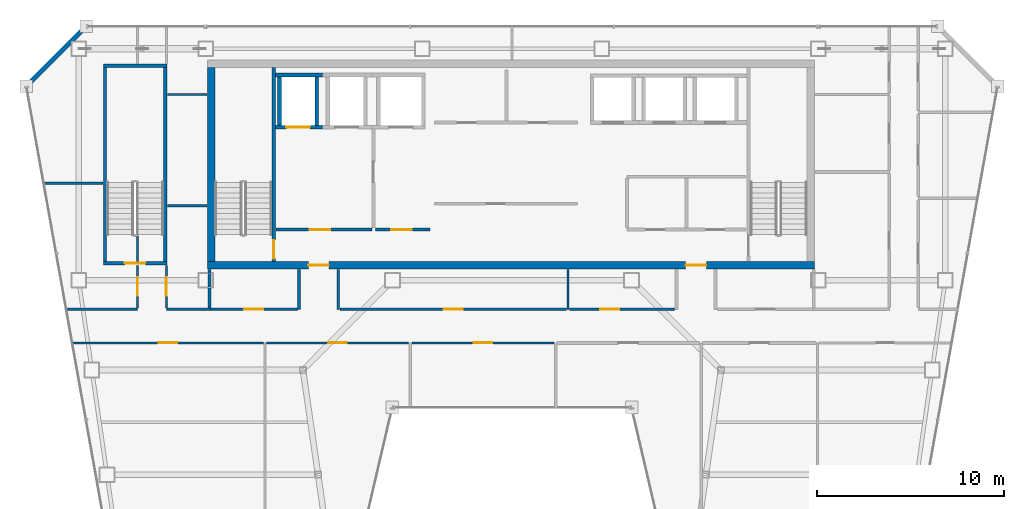
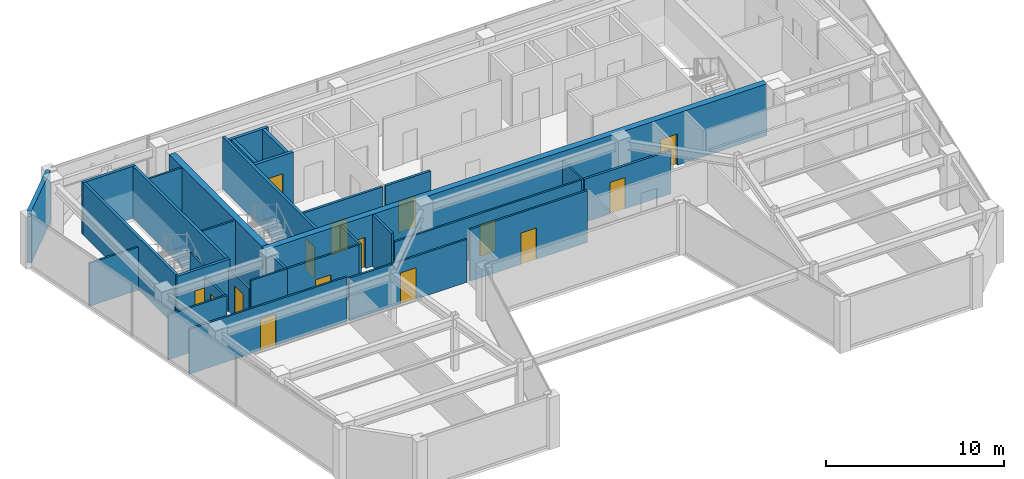
# One storey, part 27 of 32: 32 walls, 15 doors, 15 openings.
"""IFC4 building model written with IfcOpenShell, lengths in metres."""

from ifc_helpers import new_model, si_unit, direction, frame, frame_2d, origin, place, context, subcontext, project, spatial, rectangle, extrude, material, layer, layer_set, type_object, element, fill, save


model = new_model("IFC4")

# Units and contexts
model_context = context("Model", 3, precision=1e-05, world=origin(), true_north=direction((0.0, 1.0)))
body_context = subcontext(model_context, "Body", "Model", "MODEL_VIEW")
ifc_project = project(units=[si_unit("LENGTHUNIT", "METRE"), si_unit("AREAUNIT", "SQUARE_METRE"), si_unit("VOLUMEUNIT", "CUBIC_METRE"), si_unit("PLANEANGLEUNIT", "RADIAN"), si_unit("MASSUNIT", "GRAM", prefix="KILO")], contexts=[model_context])

# Site, building, storey
site_placement = place(None, origin())
site = spatial("IfcSite", under=ifc_project, at=site_placement, CompositionType="ELEMENT")
building_placement = place(site_placement, origin())
building = spatial("IfcBuilding", under=site, at=building_placement, Name="Saevonmaru Cultural Tower", CompositionType="ELEMENT")
storey_placement = place(building_placement, frame((0.0, 0.0, 257.199951171875)))
storey = spatial("IfcBuildingStorey", under=building, at=storey_placement, Name="L60", CompositionType="ELEMENT", Elevation=257.199951171875)

# Wall, openings, doors
ifc_material_1 = material(Name="Concrete C50/60", Category="concrete")
ifc_layer_1 = layer(ifc_material_1, 0.39990234375, Name="Concrete C50/60")
ifc_layer_set_1 = layer_set([ifc_layer_1], Name="Concrete C50/60")
wall_type_1 = type_object("IfcWallType", Name="WL-CORE-400", PredefinedType="SHEAR", material=ifc_layer_set_1)
wall_1_placement = place(storey_placement, frame((13.699951171875, 43.199951171875, 0.0), z_axis=(0.0, 0.0, 1.0), x_axis=(1.0, 0.0, 0.0)))
wall_1 = element("IfcWall", 1, at=wall_1_placement, inside=storey, type_object=wall_type_1, Name="L60 Tower RC core shear wall S", PredefinedType="SHEAR", context=body_context, shape_type="SweptSolid", body=[
    extrude(rectangle(XDim=32.5, YDim=0.39990234375, at=frame_2d((16.25, 0.0))), origin(), (0.0, 0.0, 1.0), 3.550048828125),
])
opening_1_placement = place(wall_1_placement, frame((5.39990234375, 0.0, 0.0)))
opening_1 = element("IfcOpeningElement", 2, at=opening_1_placement, cuts=wall_1, Name="Opening FD-2", PredefinedType="OPENING", context=body_context, shape_type="SweptSolid", body=[
    extrude(rectangle(XDim=1.10009765625, YDim=2.14990234375, at=frame_2d((0.550048828125, 1.074951171875))), frame((0.0, 0.2099609375, 0.0), z_axis=(0.0, -1.0, 0.0), x_axis=(1.0, 0.0, 0.0)), (0.0, 0.0, 1.0), 0.419921875),
])
opening_2_placement = place(wall_1_placement, frame((25.60009765625, 0.0, 0.0)))
opening_2 = element("IfcOpeningElement", 3, at=opening_2_placement, cuts=wall_1, Name="Opening FD-2", PredefinedType="OPENING", context=body_context, shape_type="SweptSolid", body=[
    extrude(rectangle(XDim=1.10009765625, YDim=2.14990234375, at=frame_2d((0.550048828125, 1.074951171875))), frame((0.0, 0.2099609375, 0.0), z_axis=(0.0, -1.0, 0.0), x_axis=(1.0, 0.0, 0.0)), (0.0, 0.0, 1.0), 0.419921875),
])
ifc_material_2 = material(Name="Satin Bronze Anodised Aluminium", Category="aluminium")
door_type_1 = type_object("IfcDoorType", Name="DR-FD60-1100", OperationType="SINGLE_SWING_LEFT", PredefinedType="DOOR", material=ifc_material_2)
door_1_placement = place(opening_1_placement, origin())
door_1 = element("IfcDoor", 4, at=door_1_placement, inside=storey, type_object=door_type_1, Name="L60 Core West Lobby Fire Door", OperationType="SINGLE_SWING_LEFT", OverallHeight=2.14990234375, OverallWidth=1.10009765625, PredefinedType="DOOR", context=body_context, shape_type="SweptSolid", body=[
    extrude(rectangle(XDim=1.10009765625, YDim=2.14990234375, at=frame_2d((0.550048828125, 1.074951171875))), frame((0.0, 0.02490234375, 0.0), z_axis=(0.0, -1.0, 0.0), x_axis=(1.0, 0.0, 0.0)), (0.0, 0.0, 1.0), 0.050048828125),
])
fill(opening_1, door_1)
door_2_placement = place(opening_2_placement, origin())
door_2 = element("IfcDoor", 5, at=door_2_placement, inside=storey, type_object=door_type_1, Name="L60 Core East Lobby Fire Door", OperationType="SINGLE_SWING_LEFT", OverallHeight=2.14990234375, OverallWidth=1.10009765625, PredefinedType="DOOR", context=body_context, shape_type="SweptSolid", body=[
    extrude(rectangle(XDim=1.10009765625, YDim=2.14990234375, at=frame_2d((0.550048828125, 1.074951171875))), frame((0.0, 0.02490234375, 0.0), z_axis=(0.0, -1.0, 0.0), x_axis=(1.0, 0.0, 0.0)), (0.0, 0.0, 1.0), 0.050048828125),
])
fill(opening_2, door_2)

# Wall
wall_2_placement = place(storey_placement, frame((13.89990234375, 43.39990234375, 0.0), z_axis=(0.0, 0.0, 1.0), x_axis=(0.0, 1.0, 0.0)))
element("IfcWall", 6, at=wall_2_placement, inside=storey, type_object=wall_type_1, Name="L60 Tower RC core shear wall W", PredefinedType="SHEAR", context=body_context, shape_type="SweptSolid", body=[
    extrude(rectangle(XDim=10.400146484375, YDim=0.39990234375, at=frame_2d((5.2001953125, 0.0))), origin(), (0.0, 0.0, 1.0), 3.550048828125),
])

# Wall, opening, door
ifc_material_3 = material(Name="Gypsum Fireboard Partition", Category="gypsum")
ifc_layer_2 = layer(ifc_material_3, 0.14990234375, Name="Gypsum Fireboard Partition")
ifc_layer_set_2 = layer_set([ifc_layer_2], Name="Gypsum Fireboard Partition")
wall_type_2 = type_object("IfcWallType", Name="WL-CORE-PART-150", PredefinedType="PARTITIONING", material=ifc_layer_set_2)
wall_3_placement = place(storey_placement, frame((17.360107421875, 45.1201171875, 0.0), z_axis=(0.0, 0.0, 1.0), x_axis=(1.0, 0.0, 0.0)))
wall_3 = element("IfcWall", 7, at=wall_3_placement, inside=storey, type_object=wall_type_2, Name="L60 Firefighting Lift Lobby South Wall", PredefinedType="PARTITIONING", context=body_context, shape_type="SweptSolid", body=[
    extrude(rectangle(XDim=5.139892578125, YDim=0.14990234375, at=frame_2d((2.56982421875, 0.0))), origin(), (0.0, 0.0, 1.0), 3.550048828125),
])
opening_3_placement = place(wall_3_placement, frame((1.800048828125, 0.0, 0.0)))
opening_3 = element("IfcOpeningElement", 8, at=opening_3_placement, cuts=wall_3, Name="Opening FD-2", PredefinedType="OPENING", context=body_context, shape_type="SweptSolid", body=[
    extrude(rectangle(XDim=1.10009765625, YDim=2.14990234375, at=frame_2d((0.550048828125, 1.074951171875))), frame((0.0, 0.0849609375, 0.0), z_axis=(0.0, -1.0, 0.0), x_axis=(1.0, 0.0, 0.0)), (0.0, 0.0, 1.0), 0.169921875),
])
door_3_placement = place(opening_3_placement, origin())
door_3 = element("IfcDoor", 9, at=door_3_placement, inside=storey, type_object=door_type_1, Name="L60 Firefighting Lift Lobby South Door", OperationType="SINGLE_SWING_LEFT", OverallHeight=2.14990234375, OverallWidth=1.10009765625, PredefinedType="DOOR", context=body_context, shape_type="SweptSolid", body=[
    extrude(rectangle(XDim=1.10009765625, YDim=2.14990234375, at=frame_2d((0.550048828125, 1.074951171875))), frame((0.0, 0.02490234375, 0.0), z_axis=(0.0, -1.0, 0.0), x_axis=(1.0, 0.0, 0.0)), (0.0, 0.0, 1.0), 0.050048828125),
])
fill(opening_3, door_3)

wall_4_placement = place(storey_placement, frame((22.679931640625, 45.1201171875, 0.0), z_axis=(0.0, 0.0, 1.0), x_axis=(1.0, 0.0, 0.0)))
wall_4 = element("IfcWall", 10, at=wall_4_placement, inside=storey, type_object=wall_type_2, Name="L60 Service Lift Vestibule Wall", PredefinedType="PARTITIONING", context=body_context, shape_type="SweptSolid", body=[
    extrude(rectangle(XDim=2.920166015625, YDim=0.14990234375, at=frame_2d((1.4599609375, 0.0))), origin(), (0.0, 0.0, 1.0), 3.550048828125),
])
opening_4_placement = place(wall_4_placement, frame((0.85009765625, 0.0, 0.0)))
opening_4 = element("IfcOpeningElement", 11, at=opening_4_placement, cuts=wall_4, Name="Opening FD-2", PredefinedType="OPENING", context=body_context, shape_type="SweptSolid", body=[
    extrude(rectangle(XDim=1.10009765625, YDim=2.14990234375, at=frame_2d((0.550048828125, 1.074951171875))), frame((0.0, 0.0849609375, 0.0), z_axis=(0.0, -1.0, 0.0), x_axis=(1.0, 0.0, 0.0)), (0.0, 0.0, 1.0), 0.169921875),
])
door_4_placement = place(opening_4_placement, origin())
door_4 = element("IfcDoor", 12, at=door_4_placement, inside=storey, type_object=door_type_1, Name="L60 Service Lift Vestibule Door", OperationType="SINGLE_SWING_LEFT", OverallHeight=2.14990234375, OverallWidth=1.10009765625, PredefinedType="DOOR", context=body_context, shape_type="SweptSolid", body=[
    extrude(rectangle(XDim=1.10009765625, YDim=2.14990234375, at=frame_2d((0.550048828125, 1.074951171875))), frame((0.0, 0.02490234375, 0.0), z_axis=(0.0, -1.0, 0.0), x_axis=(1.0, 0.0, 0.0)), (0.0, 0.0, 1.0), 0.050048828125),
])
fill(opening_4, door_4)

# Walls
ifc_material_4 = material(Name="Granite-Clad Precast Concrete C40/50", Category="masonry")
ifc_layer_3 = layer(ifc_material_4, 0.260009765625, Name="Granite-Clad Precast Concrete C40/50")
ifc_layer_set_3 = layer_set([ifc_layer_3], Name="Granite-Clad Precast Concrete C40/50")
wall_type_3 = type_object("IfcWallType", Name="WL-EXT-SPANDREL-260", PredefinedType="STANDARD", material=ifc_layer_set_3)
wall_5_placement = place(storey_placement, frame((7.0869140625, 55.886962890625, 0.0), z_axis=(0.0, 0.0, 1.0), x_axis=(-0.707106781187, -0.707106781187, 0.0)))
element("IfcWall", 13, at=wall_5_placement, inside=storey, type_object=wall_type_3, Name="L60 Chamfer Corner Spandrel Wall E11", PredefinedType="STANDARD", context=body_context, shape_type="SweptSolid", body=[
    extrude(rectangle(XDim=4.205810546875, YDim=0.260009765625, at=frame_2d((2.10302734375, 0.0))), origin(), (0.0, 0.0, 1.0), 3.550048828125),
])
ifc_layer_4 = layer(ifc_material_3, 0.14990234375, Name="Gypsum Fireboard Partition")
ifc_layer_set_4 = layer_set([ifc_layer_4], Name="Gypsum Fireboard Partition")
wall_type_4 = type_object("IfcWallType", Name="WL-PART-FIRE-150", PredefinedType="PARTITIONING", material=ifc_layer_set_4)
wall_6_placement = place(storey_placement, frame((13.800048828125, 40.929931640625, 0.0), z_axis=(0.0, 0.0, 1.0), x_axis=(0.0, 1.0, 0.0)))
element("IfcWall", 14, at=wall_6_placement, inside=storey, type_object=wall_type_4, Name="L60 Core Portal Side Wall W0", PredefinedType="PARTITIONING", context=body_context, shape_type="SweptSolid", body=[
    extrude(rectangle(XDim=2.050048828125, YDim=0.14990234375, at=frame_2d((1.02490234375, 0.0))), origin(), (0.0, 0.0, 1.0), 3.550048828125),
])
for number, where, z_axis, x_axis, name in (
    (15, (18.60009765625, 40.85009765625, 0.0), (0.0, 0.0, 1.0), (0.0, 1.0, 0.0), "L60 Core Portal Side Wall W1"),
    (16, (20.699951171875, 40.85009765625, 0.0), (0.0, 0.0, 1.0), (0.0, 1.0, 0.0), "L60 Core Portal Side Wall W2"),
):
    element("IfcWall", number, at=place(storey_placement, frame(where, z_axis=z_axis, x_axis=x_axis)), inside=storey, type_object=wall_type_4, Name=name, PredefinedType="PARTITIONING", context=body_context, shape_type="SweptSolid", body=[
        extrude(rectangle(XDim=2.1298828125, YDim=0.14990234375, at=frame_2d((1.06494140625, 0.0))), origin(), (0.0, 0.0, 1.0), 3.550048828125),
    ])

# Wall, opening, door
wall_7_placement = place(storey_placement, frame((33.080078125, 40.85009765625, 0.0), z_axis=(0.0, 0.0, 1.0), x_axis=(1.0, 0.0, 0.0)))
wall_7 = element("IfcWall", 17, at=wall_7_placement, inside=storey, type_object=wall_type_4, Name="L60 Acoustic Chamber Auditorium Corridor Wall", PredefinedType="PARTITIONING", context=body_context, shape_type="SweptSolid", body=[
    extrude(rectangle(XDim=5.625, YDim=0.14990234375, at=frame_2d((2.8125, 0.0))), origin(), (0.0, 0.0, 1.0), 2.947021484375),
])
opening_5_placement = place(wall_7_placement, frame((1.652099609375, 0.0, 0.0)))
opening_5 = element("IfcOpeningElement", 18, at=opening_5_placement, cuts=wall_7, Name="Opening ID-1B", PredefinedType="OPENING", context=body_context, shape_type="SweptSolid", body=[
    extrude(rectangle(XDim=1.0, YDim=2.14990234375, at=frame_2d((0.5, 1.074951171875))), frame((0.0, 0.0849609375, 0.0), z_axis=(0.0, -1.0, 0.0), x_axis=(1.0, 0.0, 0.0)), (0.0, 0.0, 1.0), 0.169921875),
])
ifc_material_5 = material(Name="Acoustic Stained Oak Timber", Category="wood")
door_type_2 = type_object("IfcDoorType", Name="DR-INT-1000", OperationType="SINGLE_SWING_RIGHT", PredefinedType="DOOR", material=ifc_material_5)
door_5_placement = place(opening_5_placement, origin())
door_5 = element("IfcDoor", 19, at=door_5_placement, inside=storey, type_object=door_type_2, Name="L60 Acoustic Chamber Auditorium Door", OperationType="SINGLE_SWING_RIGHT", OverallHeight=2.14990234375, OverallWidth=1.0, PredefinedType="DOOR", context=body_context, shape_type="SweptSolid", body=[
    extrude(rectangle(XDim=1.0, YDim=2.14990234375, at=frame_2d((0.5, 1.074951171875))), frame((0.0, 0.02490234375, 0.0), z_axis=(0.0, -1.0, 0.0), x_axis=(1.0, 0.0, 0.0)), (0.0, 0.0, 1.0), 0.050048828125),
])
fill(opening_5, door_5)

# Walls
ifc_layer_5 = layer(ifc_material_3, 0.1201171875, Name="Gypsum Fireboard Partition")
ifc_layer_set_5 = layer_set([ifc_layer_5], Name="Gypsum Fireboard Partition")
wall_type_5 = type_object("IfcWallType", Name="WL-PART-GYP-120", PredefinedType="PARTITIONING", material=ifc_layer_set_5)
wall_8_placement = place(storey_placement, frame((6.143310546875, 40.85009765625, 0.0), z_axis=(0.0, 0.0, 1.0), x_axis=(1.0, 0.0, 0.0)))
element("IfcWall", 20, at=wall_8_placement, inside=storey, type_object=wall_type_5, Name="L60 NW Wing South Wall", PredefinedType="PARTITIONING", context=body_context, shape_type="SweptSolid", body=[
    extrude(rectangle(XDim=3.806640625, YDim=0.1201171875, at=frame_2d((1.9033203125, 0.0))), origin(), (0.0, 0.0, 1.0), 3.0849609375),
])
wall_9_placement = place(storey_placement, frame((11.5, 40.85009765625, 0.0), z_axis=(0.0, 0.0, 1.0), x_axis=(1.0, 0.0, 0.0)))
element("IfcWall", 21, at=wall_9_placement, inside=storey, type_object=wall_type_5, Name="L60 NW Inner South Wall", PredefinedType="PARTITIONING", context=body_context, shape_type="SweptSolid", body=[
    extrude(rectangle(XDim=2.35009765625, YDim=0.1201171875, at=frame_2d((1.175048828125, 0.0))), origin(), (0.0, 0.0, 1.0), 3.550048828125),
])
wall_10_placement = place(storey_placement, frame((11.550048828125, 52.35009765625, 0.0), z_axis=(0.0, 0.0, 1.0), x_axis=(1.0, 0.0, 0.0)))
element("IfcWall", 22, at=wall_10_placement, inside=storey, type_object=wall_type_5, Name="L60 North-West Panorama South Wall", PredefinedType="PARTITIONING", context=body_context, shape_type="SweptSolid", body=[
    extrude(rectangle(XDim=2.1298828125, YDim=0.1201171875, at=frame_2d((1.06494140625, 0.0))), origin(), (0.0, 0.0, 1.0), 3.550048828125),
])
wall_11_placement = place(storey_placement, frame((4.935546875, 47.60009765625, 0.0), z_axis=(0.0, 0.0, 1.0), x_axis=(1.0, 0.0, 0.0)))
element("IfcWall", 23, at=wall_11_placement, inside=storey, type_object=wall_type_5, Name="L60 NW Studio Divider 1", PredefinedType="PARTITIONING", context=body_context, shape_type="SweptSolid", body=[
    extrude(rectangle(XDim=3.16455078125, YDim=0.1201171875, at=frame_2d((1.582275390625, 0.0))), origin(), (0.0, 0.0, 1.0), 2.947021484375),
])

# Wall, opening, door
wall_12_placement = place(storey_placement, frame((9.949951171875, 40.929931640625, 0.0), z_axis=(0.0, 0.0, 1.0), x_axis=(0.0, 1.0, 0.0)))
wall_12 = element("IfcWall", 24, at=wall_12_placement, inside=storey, type_object=wall_type_5, Name="L60 Museum Espresso Cafe Corridor Wall", PredefinedType="PARTITIONING", context=body_context, shape_type="SweptSolid", body=[
    extrude(rectangle(XDim=2.27001953125, YDim=0.1201171875, at=frame_2d((1.135009765625, 0.0))), origin(), (0.0, 0.0, 1.0), 2.947021484375),
])
opening_6_placement = place(wall_12_placement, frame((0.635009765625, 0.0, 0.0)))
opening_6 = element("IfcOpeningElement", 25, at=opening_6_placement, cuts=wall_12, Name="Opening ID-1B", PredefinedType="OPENING", context=body_context, shape_type="SweptSolid", body=[
    extrude(rectangle(XDim=1.0, YDim=2.14990234375, at=frame_2d((0.5, 1.074951171875))), frame((0.0, 0.070068359375, 0.0), z_axis=(0.0, -1.0, 0.0), x_axis=(1.0, 0.0, 0.0)), (0.0, 0.0, 1.0), 0.14013671875),
])
door_6_placement = place(opening_6_placement, origin())
door_6 = element("IfcDoor", 26, at=door_6_placement, inside=storey, type_object=door_type_2, Name="L60 Museum Espresso Cafe Door", OperationType="SINGLE_SWING_LEFT", OverallHeight=2.14990234375, OverallWidth=1.0, PredefinedType="DOOR", context=body_context, shape_type="SweptSolid", body=[
    extrude(rectangle(XDim=1.0, YDim=2.14990234375, at=frame_2d((0.5, 1.074951171875))), frame((0.0, 0.02490234375, 0.0), z_axis=(0.0, -1.0, 0.0), x_axis=(1.0, 0.0, 0.0)), (0.0, 0.0, 1.0), 0.050048828125),
])
fill(opening_6, door_6)

# Walls
wall_13_placement = place(storey_placement, frame((9.949951171875, 43.419921875, 0.0), z_axis=(0.0, 0.0, 1.0), x_axis=(0.0, 1.0, 0.0)))
element("IfcWall", 27, at=wall_13_placement, inside=storey, type_object=wall_type_5, Name="L60 Museum Espresso Cafe Corridor Wall (2)", PredefinedType="PARTITIONING", context=body_context, shape_type="SweptSolid", body=[
    extrude(rectangle(XDim=1.4501953125, YDim=0.1201171875, at=frame_2d((0.72509765625, 0.0))), origin(), (0.0, 0.0, 1.0), 3.550048828125),
])
wall_14_placement = place(storey_placement, frame((11.550048828125, 46.39990234375, 0.0), z_axis=(0.0, 0.0, 1.0), x_axis=(1.0, 0.0, 0.0)))
element("IfcWall", 28, at=wall_14_placement, inside=storey, type_object=wall_type_5, Name="L60 NW Inner Divider", PredefinedType="PARTITIONING", context=body_context, shape_type="SweptSolid", body=[
    extrude(rectangle(XDim=2.1298828125, YDim=0.1201171875, at=frame_2d((1.06494140625, 0.0))), origin(), (0.0, 0.0, 1.0), 3.550048828125),
])

# Wall, opening, door
wall_15_placement = place(storey_placement, frame((11.5, 40.929931640625, 0.0), z_axis=(0.0, 0.0, 1.0), x_axis=(0.0, 1.0, 0.0)))
wall_15 = element("IfcWall", 29, at=wall_15_placement, inside=storey, type_object=wall_type_5, Name="L60 Panoramic Salon Restaurant Corridor Wall", PredefinedType="PARTITIONING", context=body_context, shape_type="SweptSolid", body=[
    extrude(rectangle(XDim=2.27001953125, YDim=0.1201171875, at=frame_2d((1.135009765625, 0.0))), origin(), (0.0, 0.0, 1.0), 2.947021484375),
])
opening_7_placement = place(wall_15_placement, frame((0.635009765625, 0.0, 0.0)))
opening_7 = element("IfcOpeningElement", 30, at=opening_7_placement, cuts=wall_15, Name="Opening ID-1B", PredefinedType="OPENING", context=body_context, shape_type="SweptSolid", body=[
    extrude(rectangle(XDim=1.0, YDim=2.14990234375, at=frame_2d((0.5, 1.074951171875))), frame((0.0, 0.070068359375, 0.0), z_axis=(0.0, -1.0, 0.0), x_axis=(1.0, 0.0, 0.0)), (0.0, 0.0, 1.0), 0.14013671875),
])
door_7_placement = place(opening_7_placement, origin())
door_7 = element("IfcDoor", 31, at=door_7_placement, inside=storey, type_object=door_type_2, Name="L60 Panoramic Salon Restaurant Door", OperationType="SINGLE_SWING_RIGHT", OverallHeight=2.14990234375, OverallWidth=1.0, PredefinedType="DOOR", context=body_context, shape_type="SweptSolid", body=[
    extrude(rectangle(XDim=1.0, YDim=2.14990234375, at=frame_2d((0.5, 1.074951171875))), frame((0.0, 0.02490234375, 0.0), z_axis=(0.0, -1.0, 0.0), x_axis=(1.0, 0.0, 0.0)), (0.0, 0.0, 1.0), 0.050048828125),
])
fill(opening_7, door_7)

wall_16_placement = place(storey_placement, frame((13.85009765625, 40.85009765625, 0.0), z_axis=(0.0, 0.0, 1.0), x_axis=(1.0, 0.0, 0.0)))
wall_16 = element("IfcWall", 32, at=wall_16_placement, inside=storey, type_object=wall_type_5, Name="L60 Museum Espresso Cafe Corridor Wall", PredefinedType="PARTITIONING", context=body_context, shape_type="SweptSolid", body=[
    extrude(rectangle(XDim=4.65478515625, YDim=0.1201171875, at=frame_2d((2.327392578125, 0.0))), origin(), (0.0, 0.0, 1.0), 3.550048828125),
])
opening_8_placement = place(wall_16_placement, frame((1.826904296875, 0.0, 0.0)))
opening_8 = element("IfcOpeningElement", 33, at=opening_8_placement, cuts=wall_16, Name="Opening ID-1B", PredefinedType="OPENING", context=body_context, shape_type="SweptSolid", body=[
    extrude(rectangle(XDim=1.0, YDim=2.14990234375, at=frame_2d((0.5, 1.074951171875))), frame((0.0, 0.070068359375, 0.0), z_axis=(0.0, -1.0, 0.0), x_axis=(1.0, 0.0, 0.0)), (0.0, 0.0, 1.0), 0.14013671875),
])
door_8_placement = place(opening_8_placement, origin())
door_8 = element("IfcDoor", 34, at=door_8_placement, inside=storey, type_object=door_type_2, Name="L60 Museum Espresso Cafe Door", OperationType="SINGLE_SWING_RIGHT", OverallHeight=2.14990234375, OverallWidth=1.0, PredefinedType="DOOR", context=body_context, shape_type="SweptSolid", body=[
    extrude(rectangle(XDim=1.0, YDim=2.14990234375, at=frame_2d((0.5, 1.074951171875))), frame((0.0, 0.02490234375, 0.0), z_axis=(0.0, -1.0, 0.0), x_axis=(1.0, 0.0, 0.0)), (0.0, 0.0, 1.0), 0.050048828125),
])
fill(opening_8, door_8)

# Wall
wall_17_placement = place(storey_placement, frame((33.0, 40.85009765625, 0.0), z_axis=(0.0, 0.0, 1.0), x_axis=(0.0, 1.0, 0.0)))
element("IfcWall", 35, at=wall_17_placement, inside=storey, type_object=wall_type_5, Name="L60 Spine Alcove Split", PredefinedType="PARTITIONING", context=body_context, shape_type="SweptSolid", body=[
    extrude(rectangle(XDim=2.1298828125, YDim=0.1201171875, at=frame_2d((1.06494140625, 0.0))), origin(), (0.0, 0.0, 1.0), 2.947021484375),
])

# Wall, opening, door
wall_18_placement = place(storey_placement, frame((20.794921875, 40.85009765625, 0.0), z_axis=(0.0, 0.0, 1.0), x_axis=(1.0, 0.0, 0.0)))
wall_18 = element("IfcWall", 36, at=wall_18_placement, inside=storey, type_object=wall_type_5, Name="L60 Museum Espresso Cafe Corridor Wall", PredefinedType="PARTITIONING", context=body_context, shape_type="SweptSolid", body=[
    extrude(rectangle(XDim=12.125, YDim=0.1201171875, at=frame_2d((6.0625, 0.0))), origin(), (0.0, 0.0, 1.0), 2.947021484375),
])
opening_9_placement = place(wall_18_placement, frame((5.56201171875, 0.0, 0.0)))
opening_9 = element("IfcOpeningElement", 37, at=opening_9_placement, cuts=wall_18, Name="Opening ID-1B", PredefinedType="OPENING", context=body_context, shape_type="SweptSolid", body=[
    extrude(rectangle(XDim=1.0, YDim=2.14990234375, at=frame_2d((0.5, 1.074951171875))), frame((0.0, 0.070068359375, 0.0), z_axis=(0.0, -1.0, 0.0), x_axis=(1.0, 0.0, 0.0)), (0.0, 0.0, 1.0), 0.14013671875),
])
door_9_placement = place(opening_9_placement, origin())
door_9 = element("IfcDoor", 38, at=door_9_placement, inside=storey, type_object=door_type_2, Name="L60 Museum Espresso Cafe Door", OperationType="SINGLE_SWING_LEFT", OverallHeight=2.14990234375, OverallWidth=1.0, PredefinedType="DOOR", context=body_context, shape_type="SweptSolid", body=[
    extrude(rectangle(XDim=1.0, YDim=2.14990234375, at=frame_2d((0.5, 1.074951171875))), frame((0.0, 0.02490234375, 0.0), z_axis=(0.0, -1.0, 0.0), x_axis=(1.0, 0.0, 0.0)), (0.0, 0.0, 1.0), 0.050048828125),
])
fill(opening_9, door_9)

wall_19_placement = place(storey_placement, frame((6.465576171875, 39.050048828125, 0.0), z_axis=(0.0, 0.0, 1.0), x_axis=(1.0, 0.0, 0.0)))
wall_19 = element("IfcWall", 39, at=wall_19_placement, inside=storey, type_object=wall_type_5, Name="L60 Museum Espresso Cafe Corridor Wall", PredefinedType="PARTITIONING", context=body_context, shape_type="SweptSolid", body=[
    extrude(rectangle(XDim=10.224365234375, YDim=0.1201171875, at=frame_2d((5.1123046875, 0.0))), origin(), (0.0, 0.0, 1.0), 3.0849609375),
])
opening_10_placement = place(wall_19_placement, frame((4.612060546875, 0.0, 0.0)))
opening_10 = element("IfcOpeningElement", 40, at=opening_10_placement, cuts=wall_19, Name="Opening ID-1B", PredefinedType="OPENING", context=body_context, shape_type="SweptSolid", body=[
    extrude(rectangle(XDim=1.0, YDim=2.14990234375, at=frame_2d((0.5, 1.074951171875))), frame((0.0, 0.070068359375, 0.0), z_axis=(0.0, -1.0, 0.0), x_axis=(1.0, 0.0, 0.0)), (0.0, 0.0, 1.0), 0.14013671875),
])
door_10_placement = place(opening_10_placement, origin())
door_10 = element("IfcDoor", 41, at=door_10_placement, inside=storey, type_object=door_type_2, Name="L60 Museum Espresso Cafe Door", OperationType="SINGLE_SWING_RIGHT", OverallHeight=2.14990234375, OverallWidth=1.0, PredefinedType="DOOR", context=body_context, shape_type="SweptSolid", body=[
    extrude(rectangle(XDim=1.0, YDim=2.14990234375, at=frame_2d((0.5, 1.074951171875))), frame((0.0, 0.02490234375, 0.0), z_axis=(0.0, -1.0, 0.0), x_axis=(1.0, 0.0, 0.0)), (0.0, 0.0, 1.0), 0.050048828125),
])
fill(opening_10, door_10)

wall_20_placement = place(storey_placement, frame((16.85009765625, 39.050048828125, 0.0), z_axis=(0.0, 0.0, 1.0), x_axis=(1.0, 0.0, 0.0)))
wall_20 = element("IfcWall", 42, at=wall_20_placement, inside=storey, type_object=wall_type_5, Name="L60 Panoramic Salon Restaurant Corridor Wall", PredefinedType="PARTITIONING", context=body_context, shape_type="SweptSolid", body=[
    extrude(rectangle(XDim=7.6123046875, YDim=0.1201171875, at=frame_2d((3.80615234375, 0.0))), origin(), (0.0, 0.0, 1.0), 2.947021484375),
])
opening_11_placement = place(wall_20_placement, frame((3.305908203125, 0.0, 0.0)))
opening_11 = element("IfcOpeningElement", 43, at=opening_11_placement, cuts=wall_20, Name="Opening ID-1B", PredefinedType="OPENING", context=body_context, shape_type="SweptSolid", body=[
    extrude(rectangle(XDim=1.0, YDim=2.14990234375, at=frame_2d((0.5, 1.074951171875))), frame((0.0, 0.070068359375, 0.0), z_axis=(0.0, -1.0, 0.0), x_axis=(1.0, 0.0, 0.0)), (0.0, 0.0, 1.0), 0.14013671875),
])
door_11_placement = place(opening_11_placement, origin())
door_11 = element("IfcDoor", 44, at=door_11_placement, inside=storey, type_object=door_type_2, Name="L60 Panoramic Salon Restaurant Door", OperationType="SINGLE_SWING_LEFT", OverallHeight=2.14990234375, OverallWidth=1.0, PredefinedType="DOOR", context=body_context, shape_type="SweptSolid", body=[
    extrude(rectangle(XDim=1.0, YDim=2.14990234375, at=frame_2d((0.5, 1.074951171875))), frame((0.0, 0.02490234375, 0.0), z_axis=(0.0, -1.0, 0.0), x_axis=(1.0, 0.0, 0.0)), (0.0, 0.0, 1.0), 0.050048828125),
])
fill(opening_11, door_11)

wall_21_placement = place(storey_placement, frame((24.637451171875, 39.050048828125, 0.0), z_axis=(0.0, 0.0, 1.0), x_axis=(1.0, 0.0, 0.0)))
wall_21 = element("IfcWall", 45, at=wall_21_placement, inside=storey, type_object=wall_type_5, Name="L60 Terrace Overlook Cafe Corridor Wall", PredefinedType="PARTITIONING", context=body_context, shape_type="SweptSolid", body=[
    extrude(rectangle(XDim=7.62255859375, YDim=0.1201171875, at=frame_2d((3.811279296875, 0.0))), origin(), (0.0, 0.0, 1.0), 3.550048828125),
])
opening_12_placement = place(wall_21_placement, frame((3.31103515625, 0.0, 0.0)))
opening_12 = element("IfcOpeningElement", 46, at=opening_12_placement, cuts=wall_21, Name="Opening ID-1B", PredefinedType="OPENING", context=body_context, shape_type="SweptSolid", body=[
    extrude(rectangle(XDim=1.0, YDim=2.14990234375, at=frame_2d((0.5, 1.074951171875))), frame((0.0, 0.070068359375, 0.0), z_axis=(0.0, -1.0, 0.0), x_axis=(1.0, 0.0, 0.0)), (0.0, 0.0, 1.0), 0.14013671875),
])
door_12_placement = place(opening_12_placement, origin())
door_12 = element("IfcDoor", 47, at=door_12_placement, inside=storey, type_object=door_type_2, Name="L60 Terrace Overlook Cafe Door", OperationType="SINGLE_SWING_RIGHT", OverallHeight=2.14990234375, OverallWidth=1.0, PredefinedType="DOOR", context=body_context, shape_type="SweptSolid", body=[
    extrude(rectangle(XDim=1.0, YDim=2.14990234375, at=frame_2d((0.5, 1.074951171875))), frame((0.0, 0.02490234375, 0.0), z_axis=(0.0, -1.0, 0.0), x_axis=(1.0, 0.0, 0.0)), (0.0, 0.0, 1.0), 0.050048828125),
])
fill(opening_12, door_12)

ifc_material_6 = material(Name="Concrete C40/50", Category="concrete")
ifc_layer_6 = layer(ifc_material_6, 0.199951171875, Name="Concrete C40/50")
ifc_layer_set_6 = layer_set([ifc_layer_6], Name="Concrete C40/50")
wall_type_6 = type_object("IfcWallType", Name="WL-SHAFT-200", PredefinedType="SHEAR", material=ifc_layer_set_6)
wall_22_placement = place(storey_placement, frame((17.330078125, 50.60009765625, 0.0), z_axis=(0.0, 0.0, 1.0), x_axis=(1.0, 0.0, 0.0)))
wall_22 = element("IfcWall", 48, at=wall_22_placement, inside=storey, type_object=wall_type_6, Name="L60 Lift FFL-1 Hoistway Wall S", PredefinedType="SHEAR", context=body_context, shape_type="SweptSolid", body=[
    extrude(rectangle(XDim=2.52001953125, YDim=0.199951171875, at=frame_2d((1.260009765625, 0.0))), origin(), (0.0, 0.0, 1.0), 3.550048828125),
])
opening_13_placement = place(wall_22_placement, frame((0.594970703125, 0.0, 0.0)))
opening_13 = element("IfcOpeningElement", 49, at=opening_13_placement, cuts=wall_22, Name="Opening LD-2", PredefinedType="OPENING", context=body_context, shape_type="SweptSolid", body=[
    extrude(rectangle(XDim=1.25, YDim=2.300048828125, at=frame_2d((0.625, 1.14990234375))), frame((0.0, 0.10986328125, 0.0), z_axis=(0.0, -1.0, 0.0), x_axis=(1.0, 0.0, 0.0)), (0.0, 0.0, 1.0), 0.219970703125),
])
ifc_material_7 = material(Name="Stainless Steel 316", Category="steel")
door_type_3 = type_object("IfcDoorType", Name="DR-LIFT-1250", OperationType="SLIDING_TO_LEFT", PredefinedType="DOOR", material=ifc_material_7)
door_13_placement = place(opening_13_placement, origin())
door_13 = element("IfcDoor", 50, at=door_13_placement, inside=storey, type_object=door_type_3, Name="L60 Lift FFL-1 Sliding Landing Door", OperationType="SLIDING_TO_LEFT", OverallHeight=2.300048828125, OverallWidth=1.25, PredefinedType="DOOR", context=body_context, shape_type="SweptSolid", body=[
    extrude(rectangle(XDim=1.25, YDim=2.300048828125, at=frame_2d((0.625, 1.14990234375))), frame((0.0, 0.02490234375, 0.0), z_axis=(0.0, -1.0, 0.0), x_axis=(1.0, 0.0, 0.0)), (0.0, 0.0, 1.0), 0.050048828125),
])
fill(opening_13, door_13)

# Walls
wall_23_placement = place(storey_placement, frame((17.330078125, 53.39990234375, 0.0), z_axis=(0.0, 0.0, 1.0), x_axis=(1.0, 0.0, 0.0)))
element("IfcWall", 51, at=wall_23_placement, inside=storey, type_object=wall_type_6, Name="L60 Lift FFL-1 Hoistway Wall N", PredefinedType="SHEAR", context=body_context, shape_type="SweptSolid", body=[
    extrude(rectangle(XDim=2.52001953125, YDim=0.199951171875, at=frame_2d((1.260009765625, 0.0))), origin(), (0.0, 0.0, 1.0), 3.550048828125),
])
for number, where, z_axis, x_axis, name in (
    (52, (17.550048828125, 50.699951171875, 0.0), (0.0, 0.0, 1.0), (0.0, 1.0, 0.0), "L60 Lift FFL-1 Hoistway Wall W"),
    (53, (19.550048828125, 50.699951171875, 0.0), (0.0, 0.0, 1.0), (0.0, 1.0, 0.0), "L60 Lift FFL-1 Hoistway Wall E"),
):
    element("IfcWall", number, at=place(storey_placement, frame(where, z_axis=z_axis, x_axis=x_axis)), inside=storey, type_object=wall_type_6, Name=name, PredefinedType="SHEAR", context=body_context, shape_type="SweptSolid", body=[
        extrude(rectangle(XDim=2.60009765625, YDim=0.199951171875, at=frame_2d((1.300048828125, 0.0))), origin(), (0.0, 0.0, 1.0), 3.550048828125),
    ])

# Wall, opening, door
ifc_layer_7 = layer(ifc_material_6, 0.179931640625, Name="Concrete C40/50")
ifc_layer_set_7 = layer_set([ifc_layer_7], Name="Concrete C40/50")
wall_type_7 = type_object("IfcWallType", Name="WL-STSHAFT-180", PredefinedType="SHEAR", material=ifc_layer_set_7)
wall_24_placement = place(storey_placement, frame((17.239990234375, 43.39990234375, 0.0), z_axis=(0.0, 0.0, 1.0), x_axis=(0.0, 1.0, 0.0)))
wall_24 = element("IfcWall", 54, at=wall_24_placement, inside=storey, type_object=wall_type_7, Name="L60 Stair ST-1 Structural Shaft Wall 1", PredefinedType="SHEAR", context=body_context, shape_type="SweptSolid", body=[
    extrude(rectangle(XDim=10.400146484375, YDim=0.179931640625, at=frame_2d((5.2001953125, 0.0))), origin(), (0.0, 0.0, 1.0), 3.550048828125),
])
opening_14_placement = place(wall_24_placement, frame((0.159912109375, 0.0, 0.0)))
opening_14 = element("IfcOpeningElement", 55, at=opening_14_placement, cuts=wall_24, Name="Opening FD-3", PredefinedType="OPENING", context=body_context, shape_type="SweptSolid", body=[
    extrude(rectangle(XDim=1.0, YDim=2.14990234375, at=frame_2d((0.5, 1.074951171875))), frame((0.0, 0.10009765625, 0.0), z_axis=(0.0, -1.0, 0.0), x_axis=(1.0, 0.0, 0.0)), (0.0, 0.0, 1.0), 0.199951171875),
])
door_type_4 = type_object("IfcDoorType", Name="DR-FD60-1000", OperationType="SINGLE_SWING_RIGHT", PredefinedType="DOOR", material=ifc_material_2)
door_14_placement = place(opening_14_placement, origin())
door_14 = element("IfcDoor", 56, at=door_14_placement, inside=storey, type_object=door_type_4, Name="L60 Protected Stair ST-1 Fire Door", OperationType="SINGLE_SWING_RIGHT", OverallHeight=2.14990234375, OverallWidth=1.0, PredefinedType="DOOR", context=body_context, shape_type="SweptSolid", body=[
    extrude(rectangle(XDim=1.0, YDim=2.14990234375, at=frame_2d((0.5, 1.074951171875))), frame((0.0, 0.02490234375, 0.0), z_axis=(0.0, -1.0, 0.0), x_axis=(1.0, 0.0, 0.0)), (0.0, 0.0, 1.0), 0.050048828125),
])
fill(opening_14, door_14)

wall_25_placement = place(storey_placement, frame((8.1201171875, 43.31005859375, 0.0), z_axis=(0.0, 0.0, 1.0), x_axis=(1.0, 0.0, 0.0)))
wall_25 = element("IfcWall", 57, at=wall_25_placement, inside=storey, type_object=wall_type_7, Name="L60 Stair ST-3 Structural Shaft Wall 1", PredefinedType="SHEAR", context=body_context, shape_type="SweptSolid", body=[
    extrude(rectangle(XDim=3.409912109375, YDim=0.179931640625, at=frame_2d((1.705078125, 0.0))), origin(), (0.0, 0.0, 1.0), 3.550048828125),
])
opening_15_placement = place(wall_25_placement, frame((1.14990234375, 0.0, 0.0)))
opening_15 = element("IfcOpeningElement", 58, at=opening_15_placement, cuts=wall_25, Name="Opening FD-2", PredefinedType="OPENING", context=body_context, shape_type="SweptSolid", body=[
    extrude(rectangle(XDim=1.10009765625, YDim=2.14990234375, at=frame_2d((0.550048828125, 1.074951171875))), frame((0.0, 0.10009765625, 0.0), z_axis=(0.0, -1.0, 0.0), x_axis=(1.0, 0.0, 0.0)), (0.0, 0.0, 1.0), 0.199951171875),
])
door_15_placement = place(opening_15_placement, origin())
door_15 = element("IfcDoor", 59, at=door_15_placement, inside=storey, type_object=door_type_1, Name="L60 Protected Stair ST-3 Fire Door", OperationType="SINGLE_SWING_LEFT", OverallHeight=2.14990234375, OverallWidth=1.10009765625, PredefinedType="DOOR", context=body_context, shape_type="SweptSolid", body=[
    extrude(rectangle(XDim=1.10009765625, YDim=2.14990234375, at=frame_2d((0.550048828125, 1.074951171875))), frame((0.0, 0.02490234375, 0.0), z_axis=(0.0, -1.0, 0.0), x_axis=(1.0, 0.0, 0.0)), (0.0, 0.0, 1.0), 0.050048828125),
])
fill(opening_15, door_15)

# Walls
wall_26_placement = place(storey_placement, frame((11.43994140625, 43.39990234375, 0.0), z_axis=(0.0, 0.0, 1.0), x_axis=(0.0, 1.0, 0.0)))
element("IfcWall", 60, at=wall_26_placement, inside=storey, type_object=wall_type_7, Name="L60 Stair ST-3 Structural Shaft Wall 2", PredefinedType="SHEAR", context=body_context, shape_type="SweptSolid", body=[
    extrude(rectangle(XDim=10.400146484375, YDim=0.179931640625, at=frame_2d((5.2001953125, 0.0))), origin(), (0.0, 0.0, 1.0), 3.550048828125),
])
wall_27_placement = place(storey_placement, frame((11.530029296875, 53.889892578125, 0.0), z_axis=(0.0, 0.0, 1.0), x_axis=(-1.0, 0.0, 0.0)))
element("IfcWall", 61, at=wall_27_placement, inside=storey, type_object=wall_type_7, Name="L60 Stair ST-3 Structural Shaft Wall 3", PredefinedType="SHEAR", context=body_context, shape_type="SweptSolid", body=[
    extrude(rectangle(XDim=3.409912109375, YDim=0.179931640625, at=frame_2d((1.705078125, 0.0))), origin(), (0.0, 0.0, 1.0), 3.550048828125),
])
wall_28_placement = place(storey_placement, frame((8.2099609375, 53.800048828125, 0.0), z_axis=(0.0, 0.0, 1.0), x_axis=(0.0, -1.0, 0.0)))
element("IfcWall", 62, at=wall_28_placement, inside=storey, type_object=wall_type_7, Name="L60 Stair ST-3 Structural Shaft Wall 4", PredefinedType="SHEAR", context=body_context, shape_type="SweptSolid", body=[
    extrude(rectangle(XDim=10.400146484375, YDim=0.179931640625, at=frame_2d((5.2001953125, 0.0))), origin(), (0.0, 0.0, 1.0), 3.550048828125),
])

save(model, "model.ifc")
